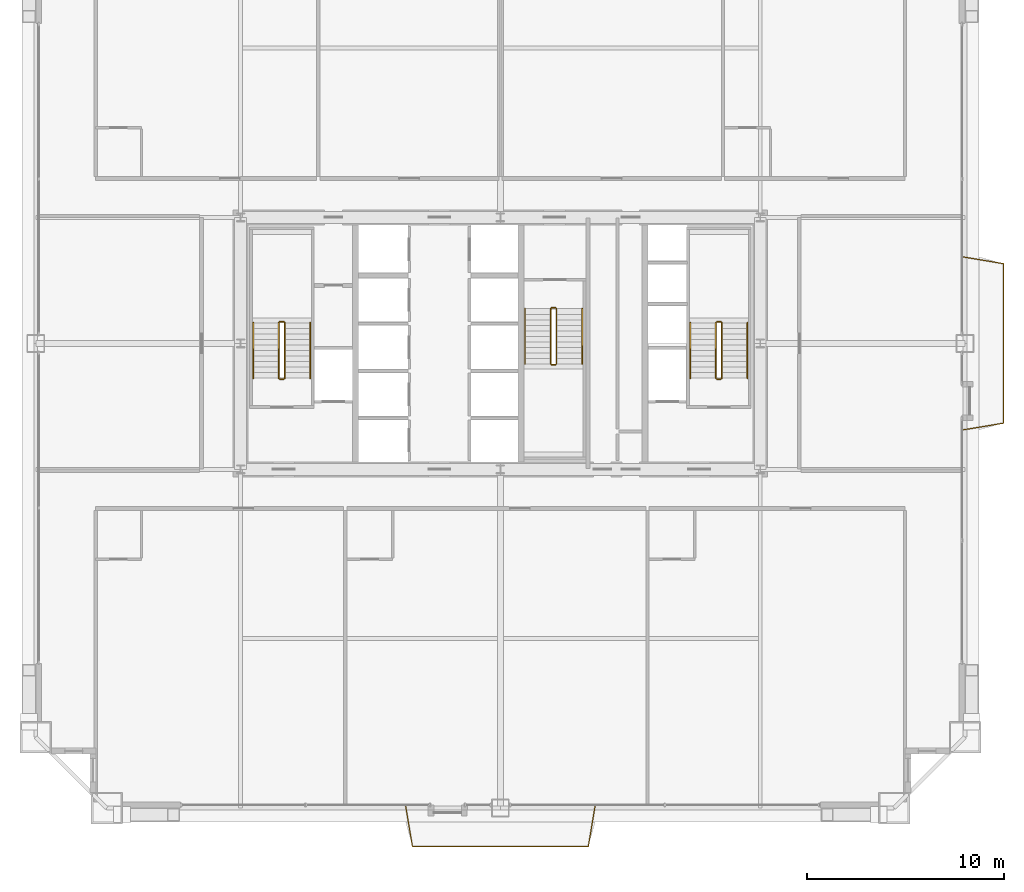
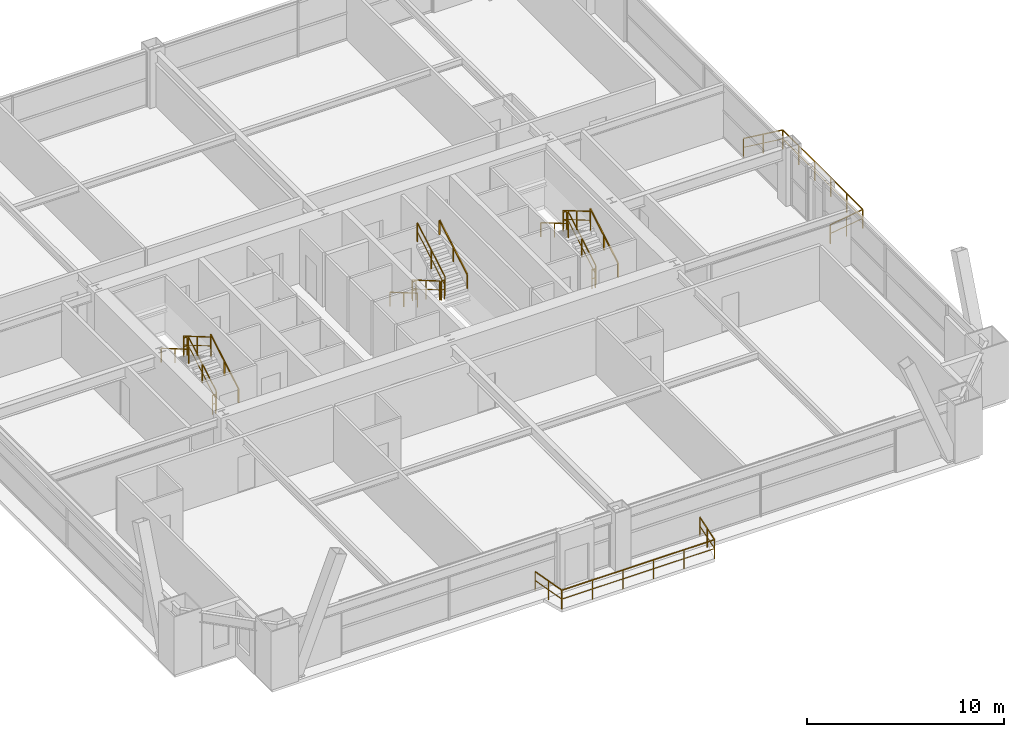
# One storey, part 43 of 43: 20 railings.
"""IFC4 building model written with IfcOpenShell, lengths in metres."""

from ifc_helpers import new_model, si_unit, direction, frame, origin, origin_2d, place, context, subcontext, project, spatial, rectangle, extrude, source, transform, mapped, material, layer, layer_set, type_object, element, save


model = new_model("IFC4")

# Units and contexts
model_context = context("Model", 3, precision=1e-05, world=origin(), true_north=direction((0.0, 1.0)))
body_context = subcontext(model_context, "Body", "Model", "MODEL_VIEW")
ifc_project = project(units=[si_unit("LENGTHUNIT", "METRE"), si_unit("AREAUNIT", "SQUARE_METRE"), si_unit("VOLUMEUNIT", "CUBIC_METRE"), si_unit("PLANEANGLEUNIT", "RADIAN"), si_unit("MASSUNIT", "GRAM", prefix="KILO"), si_unit("THERMODYNAMICTEMPERATUREUNIT", "KELVIN"), si_unit("POWERUNIT", "WATT")], contexts=[model_context])

# Site, building, storey
site_placement = place(None, origin())
site = spatial("IfcSite", under=ifc_project, at=site_placement, CompositionType="ELEMENT")
building_placement = place(site_placement, origin())
building = spatial("IfcBuilding", under=site, at=building_placement, Name="Yuzanri Waterfront Tower", CompositionType="ELEMENT")
storey_placement = place(building_placement, frame((0.0, 0.0, 101.0)))
storey = spatial("IfcBuildingStorey", under=building, at=storey_placement, Name="L26", CompositionType="ELEMENT", Elevation=101.0)

# Railings
ifc_material_1 = material(Name="Anodized Architectural Bronze", Category="metal")
ifc_layer_1 = layer(ifc_material_1, 0.080078125)
ifc_layer_set_1 = layer_set([ifc_layer_1], Name="Anodized Architectural Bronze")
railing_type_1 = type_object("IfcRailingType", Name="Laminated Glass and Bronze Balcony Guardrail 1200", PredefinedType="BALUSTRADE", material=ifc_layer_set_1)
shared_shape_1 = source(origin(), body_context, "Body", "SweptSolid", [
    extrude(rectangle(XDim=0.050048828125, YDim=0.050048828125, at=origin_2d()), frame((0.0, 0.0, 1.1748046875), z_axis=(0.163953687911, -0.9864680371, 0.0), x_axis=(0.9864680371, 0.163953687911, 0.0)), (0.0, 0.0, 1.0), 2.1337890625),
    extrude(rectangle(XDim=0.035888671875, YDim=0.030029296875, at=origin_2d()), frame((0.0, 0.0, 0.6240234375), z_axis=(0.163953687911, -0.9864680371, 0.0), x_axis=(0.9864680371, 0.163953687911, 0.0)), (0.0, 0.0, 1.0), 2.1337890625),
    extrude(rectangle(XDim=0.050048828125, YDim=0.050048828125, at=origin_2d()), frame((0.349853515625, -2.10498046875, 1.1748046875), z_axis=(1.0, 0.0, 0.0), x_axis=(0.0, 1.0, 0.0)), (0.0, 0.0, 1.0), 8.93408203125),
    extrude(rectangle(XDim=0.035888671875, YDim=0.030029296875, at=origin_2d()), frame((0.349853515625, -2.10498046875, 0.6240234375), z_axis=(1.0, 0.0, 0.0), x_axis=(0.0, 1.0, 0.0)), (0.0, 0.0, 1.0), 8.93408203125),
    extrude(rectangle(XDim=0.050048828125, YDim=0.050048828125, at=origin_2d()), frame((9.283935546875, -2.10498046875, 1.1748046875), z_axis=(0.163953687911, 0.9864680371, 0.0), x_axis=(-0.9864680371, 0.163953687911, 0.0)), (0.0, 0.0, 1.0), 2.1337890625),
    extrude(rectangle(XDim=0.035888671875, YDim=0.030029296875, at=origin_2d()), frame((9.283935546875, -2.10498046875, 0.6240234375), z_axis=(0.163953687911, 0.9864680371, 0.0), x_axis=(-0.9864680371, 0.163953687911, 0.0)), (0.0, 0.0, 1.0), 2.1337890625),
    extrude(rectangle(XDim=0.0458984375, YDim=0.0458984375, at=origin_2d()), origin(), (0.0, 0.0, 1.0), 1.14990234375),
    extrude(rectangle(XDim=0.0458984375, YDim=0.0458984375, at=origin_2d()), frame((0.1748046875, -1.052490234375, 0.0)), (0.0, 0.0, 1.0), 1.14990234375),
    extrude(rectangle(XDim=0.0458984375, YDim=0.0458984375, at=origin_2d()), frame((0.349853515625, -2.10498046875, 0.0)), (0.0, 0.0, 1.0), 1.14990234375),
    extrude(rectangle(XDim=0.0458984375, YDim=0.0458984375, at=origin_2d()), frame((2.13671875, -2.10498046875, 0.0)), (0.0, 0.0, 1.0), 1.14990234375),
    extrude(rectangle(XDim=0.0458984375, YDim=0.0458984375, at=origin_2d()), frame((3.923583984375, -2.10498046875, 0.0)), (0.0, 0.0, 1.0), 1.14990234375),
    extrude(rectangle(XDim=0.0458984375, YDim=0.0458984375, at=origin_2d()), frame((5.710205078125, -2.10498046875, 0.0)), (0.0, 0.0, 1.0), 1.14990234375),
    extrude(rectangle(XDim=0.0458984375, YDim=0.0458984375, at=origin_2d()), frame((7.4970703125, -2.10498046875, 0.0)), (0.0, 0.0, 1.0), 1.14990234375),
    extrude(rectangle(XDim=0.0458984375, YDim=0.0458984375, at=origin_2d()), frame((9.283935546875, -2.10498046875, 0.0)), (0.0, 0.0, 1.0), 1.14990234375),
    extrude(rectangle(XDim=0.0458984375, YDim=0.0458984375, at=origin_2d()), frame((9.458984375, -1.052490234375, 0.0)), (0.0, 0.0, 1.0), 1.14990234375),
    extrude(rectangle(XDim=0.0458984375, YDim=0.0458984375, at=origin_2d()), frame((9.6337890625, 0.0, 0.0)), (0.0, 0.0, 1.0), 1.14990234375),
])
railing_1_placement = place(storey_placement, frame((32.18310546875, 2.35009765625, 0.0)))
element("IfcRailing", 1, at=railing_1_placement, inside=storey, type_object=railing_type_1, Name="L26 S Engawa Terrace Guardrail", PredefinedType="BALUSTRADE", context=body_context, shape_type="MappedRepresentation", body=[
    mapped(shared_shape_1, transform((0.0, 0.0, 0.0), scale=1.0)),
])
shared_shape_2 = source(origin(), body_context, "Body", "SweptSolid", [
    extrude(rectangle(XDim=0.050048828125, YDim=0.050048828125, at=origin_2d()), frame((0.0, 0.0, 1.1748046875), z_axis=(0.986449526586, 0.164065022167, 0.0), x_axis=(-0.164065022167, 0.986449526586, 0.0)), (0.0, 0.0, 1.0), 2.1337890625),
    extrude(rectangle(XDim=0.035888671875, YDim=0.030029296875, at=origin_2d()), frame((0.0, 0.0, 0.6240234375), z_axis=(0.986449526586, 0.164065022167, 0.0), x_axis=(-0.164065022167, 0.986449526586, 0.0)), (0.0, 0.0, 1.0), 2.1337890625),
    extrude(rectangle(XDim=0.050048828125, YDim=0.050048828125, at=origin_2d()), frame((2.10498046875, 0.35009765625, 1.1748046875), z_axis=(0.0, 1.0, 0.0), x_axis=(-1.0, 0.0, 0.0)), (0.0, 0.0, 1.0), 8.10009765625),
    extrude(rectangle(XDim=0.035888671875, YDim=0.030029296875, at=origin_2d()), frame((2.10498046875, 0.35009765625, 0.6240234375), z_axis=(0.0, 1.0, 0.0), x_axis=(-1.0, 0.0, 0.0)), (0.0, 0.0, 1.0), 8.10009765625),
    extrude(rectangle(XDim=0.050048828125, YDim=0.050048828125, at=origin_2d()), frame((2.10498046875, 8.4501953125, 1.1748046875), z_axis=(-0.9864680371, 0.163953687911, 0.0), x_axis=(-0.163953687911, -0.9864680371, 0.0)), (0.0, 0.0, 1.0), 2.1337890625),
    extrude(rectangle(XDim=0.035888671875, YDim=0.030029296875, at=origin_2d()), frame((2.10498046875, 8.4501953125, 0.6240234375), z_axis=(-0.9864680371, 0.163953687911, 0.0), x_axis=(-0.163953687911, -0.9864680371, 0.0)), (0.0, 0.0, 1.0), 2.1337890625),
    extrude(rectangle(XDim=0.0458984375, YDim=0.0458984375, at=origin_2d()), origin(), (0.0, 0.0, 1.0), 1.14990234375),
    extrude(rectangle(XDim=0.0458984375, YDim=0.0458984375, at=origin_2d()), frame((1.052490234375, 0.175048828125, 0.0)), (0.0, 0.0, 1.0), 1.14990234375),
    extrude(rectangle(XDim=0.0458984375, YDim=0.0458984375, at=origin_2d()), frame((2.10498046875, 0.35009765625, 0.0)), (0.0, 0.0, 1.0), 1.14990234375),
    extrude(rectangle(XDim=0.0458984375, YDim=0.0458984375, at=origin_2d()), frame((2.10498046875, 1.97021484375, 0.0)), (0.0, 0.0, 1.0), 1.14990234375),
    extrude(rectangle(XDim=0.0458984375, YDim=0.0458984375, at=origin_2d()), frame((2.10498046875, 3.590087890625, 0.0)), (0.0, 0.0, 1.0), 1.14990234375),
    extrude(rectangle(XDim=0.0458984375, YDim=0.0458984375, at=origin_2d()), frame((2.10498046875, 5.210205078125, 0.0)), (0.0, 0.0, 1.0), 1.14990234375),
    extrude(rectangle(XDim=0.0458984375, YDim=0.0458984375, at=origin_2d()), frame((2.10498046875, 6.830078125, 0.0)), (0.0, 0.0, 1.0), 1.14990234375),
    extrude(rectangle(XDim=0.0458984375, YDim=0.0458984375, at=origin_2d()), frame((2.10498046875, 8.4501953125, 0.0)), (0.0, 0.0, 1.0), 1.14990234375),
    extrude(rectangle(XDim=0.0458984375, YDim=0.0458984375, at=origin_2d()), frame((1.052490234375, 8.625, 0.0)), (0.0, 0.0, 1.0), 1.14990234375),
    extrude(rectangle(XDim=0.0458984375, YDim=0.0458984375, at=origin_2d()), frame((0.0, 8.800048828125, 0.0)), (0.0, 0.0, 1.0), 1.14990234375),
])
railing_2_placement = place(storey_placement, frame((60.449951171875, 21.39990234375, 0.0)))
element("IfcRailing", 2, at=railing_2_placement, inside=storey, type_object=railing_type_1, Name="L26 E Engawa Terrace Guardrail", PredefinedType="BALUSTRADE", context=body_context, shape_type="MappedRepresentation", body=[
    mapped(shared_shape_2, transform((0.0, 0.0, 0.0), scale=1.0)),
])
ifc_material_2 = material(Name="Painted Galvanized Fire Steel", Category="steel")
ifc_layer_2 = layer(ifc_material_2, 0.06005859375)
ifc_layer_set_2 = layer_set([ifc_layer_2], Name="Painted Galvanized Fire Steel")
railing_type_2 = type_object("IfcRailingType", Name="Painted Steel Stairwell Guardrail 1120", PredefinedType="GUARDRAIL", material=ifc_layer_set_2)
shared_shape_3 = source(origin(), body_context, "Body", "SweptSolid", [
    extrude(rectangle(XDim=0.050048828125, YDim=0.050048828125, at=origin_2d()), frame((0.0, 0.0, 1.1748046875), z_axis=(-1.0, 0.0, 0.0), x_axis=(0.0, -1.0, 0.0)), (0.0, 0.0, 1.0), 0.199951171875),
    extrude(rectangle(XDim=0.035888671875, YDim=0.030029296875, at=origin_2d()), frame((0.0, 0.0, 0.6240234375), z_axis=(-1.0, 0.0, 0.0), x_axis=(0.0, -1.0, 0.0)), (0.0, 0.0, 1.0), 0.199951171875),
    extrude(rectangle(XDim=0.0458984375, YDim=0.0458984375, at=origin_2d()), origin(), (0.0, 0.0, 1.0), 1.14990234375),
    extrude(rectangle(XDim=0.0458984375, YDim=0.0458984375, at=origin_2d()), frame((-0.199951171875, 0.0, 0.0)), (0.0, 0.0, 1.0), 1.14990234375),
])
for number, where, name in (
    (3, (26.0, 26.889892578125, 1.800048828125), "L26 ST-01 stair guard 2"),
    (4, (26.0, 23.989990234375, 0.0), "L26 ST-01 stair guard 4"),
    (5, (48.199951171875, 26.889892578125, 1.800048828125), "L26 ST-02 stair guard 2"),
    (6, (48.199951171875, 23.989990234375, 0.0), "L26 ST-02 stair guard 4"),
):
    element("IfcRailing", number, at=place(storey_placement, frame(where)), inside=storey, type_object=railing_type_2, Name=name, PredefinedType="GUARDRAIL", context=body_context, shape_type="MappedRepresentation", body=[
        mapped(shared_shape_3, transform((0.0, 0.0, 0.0), scale=1.0)),
    ])
shared_shape_4 = source(origin(), body_context, "Body", "SweptSolid", [
    extrude(rectangle(XDim=0.050048828125, YDim=0.050048828125, at=origin_2d()), frame((0.0, 0.0, 1.1748046875), z_axis=(0.0, 0.863360870873, 0.504586966384), x_axis=(-1.0, 0.0, 0.0)), (0.0, 0.0, 1.0), 3.2431640625),
    extrude(rectangle(XDim=0.035888671875, YDim=0.030029296875, at=origin_2d()), frame((0.0, 0.0, 0.6240234375), z_axis=(0.0, 0.863360870873, 0.504586966384), x_axis=(-1.0, 0.0, 0.0)), (0.0, 0.0, 1.0), 3.2431640625),
    extrude(rectangle(XDim=0.0458984375, YDim=0.0458984375, at=origin_2d()), origin(), (0.0, 0.0, 1.0), 1.14990234375),
    extrude(rectangle(XDim=0.0458984375, YDim=0.0458984375, at=origin_2d()), frame((0.0, 1.39990234375, 0.818359375)), (0.0, 0.0, 1.0), 1.14990234375),
    extrude(rectangle(XDim=0.0458984375, YDim=0.0458984375, at=origin_2d()), frame((0.0, 2.800048828125, 1.636474609375)), (0.0, 0.0, 1.0), 1.14990234375),
])
for number, where, name in (
    (7, (26.050048828125, 24.0400390625, 0.16357421875), "L26 ST-01 stair guard 1"),
    (8, (48.25, 24.0400390625, 0.16357421875), "L26 ST-02 stair guard 1"),
    (9, (39.85009765625, 24.760009765625, 1.963623046875), "L26 ST-03 stair guard 3"),
):
    element("IfcRailing", number, at=place(storey_placement, frame(where)), inside=storey, type_object=railing_type_2, Name=name, PredefinedType="GUARDRAIL", context=body_context, shape_type="MappedRepresentation", body=[
        mapped(shared_shape_4, transform((0.0, 0.0, 0.0), scale=1.0)),
    ])
shared_shape_5 = source(origin(), body_context, "Body", "SweptSolid", [
    extrude(rectangle(XDim=0.050048828125, YDim=0.050048828125, at=origin_2d()), frame((0.0, 0.0, 1.1748046875), z_axis=(0.0, -0.863360870873, 0.504586966384), x_axis=(1.0, 0.0, 0.0)), (0.0, 0.0, 1.0), 3.2431640625),
    extrude(rectangle(XDim=0.035888671875, YDim=0.030029296875, at=origin_2d()), frame((0.0, 0.0, 0.6240234375), z_axis=(0.0, -0.863360870873, 0.504586966384), x_axis=(1.0, 0.0, 0.0)), (0.0, 0.0, 1.0), 3.2431640625),
    extrude(rectangle(XDim=0.0458984375, YDim=0.0458984375, at=origin_2d()), origin(), (0.0, 0.0, 1.0), 1.14990234375),
    extrude(rectangle(XDim=0.0458984375, YDim=0.0458984375, at=origin_2d()), frame((0.0, -1.39990234375, 0.818359375)), (0.0, 0.0, 1.0), 1.14990234375),
    extrude(rectangle(XDim=0.0458984375, YDim=0.0458984375, at=origin_2d()), frame((0.0, -2.800048828125, 1.636474609375)), (0.0, 0.0, 1.0), 1.14990234375),
])
for number, where, name in (
    (10, (25.75, 26.840087890625, 1.963623046875), "L26 ST-01 stair guard 3"),
    (11, (47.949951171875, 26.840087890625, 1.963623046875), "L26 ST-02 stair guard 3"),
    (12, (39.550048828125, 27.56005859375, 0.16357421875), "L26 ST-03 stair guard 1"),
):
    element("IfcRailing", number, at=place(storey_placement, frame(where)), inside=storey, type_object=railing_type_2, Name=name, PredefinedType="GUARDRAIL", context=body_context, shape_type="MappedRepresentation", body=[
        mapped(shared_shape_5, transform((0.0, 0.0, 0.0), scale=1.0)),
    ])
ifc_material_3 = material(Name="Anodized Architectural Bronze", Category="metal")
ifc_layer_3 = layer(ifc_material_3, 0.050048828125)
ifc_layer_set_3 = layer_set([ifc_layer_3], Name="Anodized Architectural Bronze")
railing_type_3 = type_object("IfcRailingType", Name="Brushed Bronze Stair Pitch Handrail 920", PredefinedType="HANDRAIL", material=ifc_layer_set_3)
shared_shape_6 = source(origin(), body_context, "Body", "SweptSolid", [
    extrude(rectangle(XDim=0.050048828125, YDim=0.050048828125, at=origin_2d()), frame((0.0, 0.0, 0.875), z_axis=(0.0, 0.863360870873, 0.504586966384), x_axis=(-1.0, 0.0, 0.0)), (0.0, 0.0, 1.0), 3.2431640625),
    extrude(rectangle(XDim=0.0458984375, YDim=0.0458984375, at=origin_2d()), origin(), (0.0, 0.0, 1.0), 0.849853515625),
    extrude(rectangle(XDim=0.0458984375, YDim=0.0458984375, at=origin_2d()), frame((0.0, 1.39990234375, 0.818359375)), (0.0, 0.0, 1.0), 0.849853515625),
    extrude(rectangle(XDim=0.0458984375, YDim=0.0458984375, at=origin_2d()), frame((0.0, 2.800048828125, 1.636474609375)), (0.0, 0.0, 1.0), 0.849853515625),
])
for number, where, name in (
    (13, (27.35009765625, 24.0400390625, 0.16357421875), "L26 ST-01 stair handrail 1"),
    (14, (49.550048828125, 24.0400390625, 0.16357421875), "L26 ST-02 stair handrail 1"),
    (15, (41.14990234375, 24.760009765625, 1.963623046875), "L26 ST-03 stair handrail 2"),
):
    element("IfcRailing", number, at=place(storey_placement, frame(where)), inside=storey, type_object=railing_type_3, Name=name, PredefinedType="HANDRAIL", context=body_context, shape_type="MappedRepresentation", body=[
        mapped(shared_shape_6, transform((0.0, 0.0, 0.0), scale=1.0)),
    ])
shared_shape_7 = source(origin(), body_context, "Body", "SweptSolid", [
    extrude(rectangle(XDim=0.050048828125, YDim=0.050048828125, at=origin_2d()), frame((0.0, 0.0, 0.875), z_axis=(0.0, -0.863360870873, 0.504586966384), x_axis=(1.0, 0.0, 0.0)), (0.0, 0.0, 1.0), 3.2431640625),
    extrude(rectangle(XDim=0.0458984375, YDim=0.0458984375, at=origin_2d()), origin(), (0.0, 0.0, 1.0), 0.849853515625),
    extrude(rectangle(XDim=0.0458984375, YDim=0.0458984375, at=origin_2d()), frame((0.0, -1.39990234375, 0.818359375)), (0.0, 0.0, 1.0), 0.849853515625),
    extrude(rectangle(XDim=0.0458984375, YDim=0.0458984375, at=origin_2d()), frame((0.0, -2.800048828125, 1.636474609375)), (0.0, 0.0, 1.0), 0.849853515625),
])
for number, where, name in (
    (16, (24.449951171875, 26.840087890625, 1.963623046875), "L26 ST-01 stair handrail 2"),
    (17, (46.64990234375, 26.840087890625, 1.963623046875), "L26 ST-02 stair handrail 2"),
    (18, (38.25, 27.56005859375, 0.16357421875), "L26 ST-03 stair handrail 1"),
):
    element("IfcRailing", number, at=place(storey_placement, frame(where)), inside=storey, type_object=railing_type_3, Name=name, PredefinedType="HANDRAIL", context=body_context, shape_type="MappedRepresentation", body=[
        mapped(shared_shape_7, transform((0.0, 0.0, 0.0), scale=1.0)),
    ])
shared_shape_8 = source(origin(), body_context, "Body", "SweptSolid", [
    extrude(rectangle(XDim=0.050048828125, YDim=0.050048828125, at=origin_2d()), frame((0.0, 0.0, 1.1748046875), z_axis=(1.0, 0.0, 0.0), x_axis=(0.0, 1.0, 0.0)), (0.0, 0.0, 1.0), 0.199951171875),
    extrude(rectangle(XDim=0.035888671875, YDim=0.030029296875, at=origin_2d()), frame((0.0, 0.0, 0.6240234375), z_axis=(1.0, 0.0, 0.0), x_axis=(0.0, 1.0, 0.0)), (0.0, 0.0, 1.0), 0.199951171875),
    extrude(rectangle(XDim=0.0458984375, YDim=0.0458984375, at=origin_2d()), origin(), (0.0, 0.0, 1.0), 1.14990234375),
    extrude(rectangle(XDim=0.0458984375, YDim=0.0458984375, at=origin_2d()), frame((0.199951171875, 0.0, 0.0)), (0.0, 0.0, 1.0), 1.14990234375),
])
for number, where, name in (
    (19, (39.60009765625, 24.7099609375, 1.800048828125), "L26 ST-03 stair guard 2"),
    (20, (39.60009765625, 27.610107421875, 0.0), "L26 ST-03 stair guard 4"),
):
    element("IfcRailing", number, at=place(storey_placement, frame(where)), inside=storey, type_object=railing_type_2, Name=name, PredefinedType="GUARDRAIL", context=body_context, shape_type="MappedRepresentation", body=[
        mapped(shared_shape_8, transform((0.0, 0.0, 0.0), scale=1.0)),
    ])

save(model, "model.ifc")
